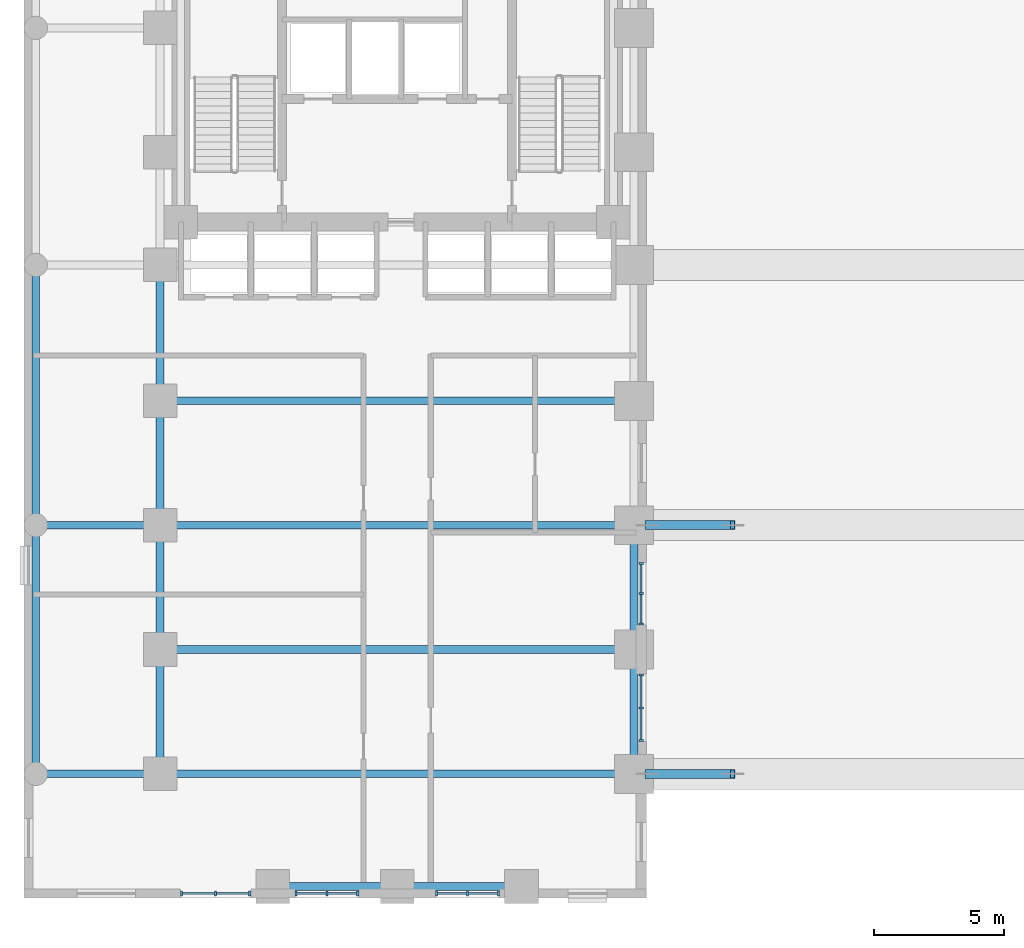
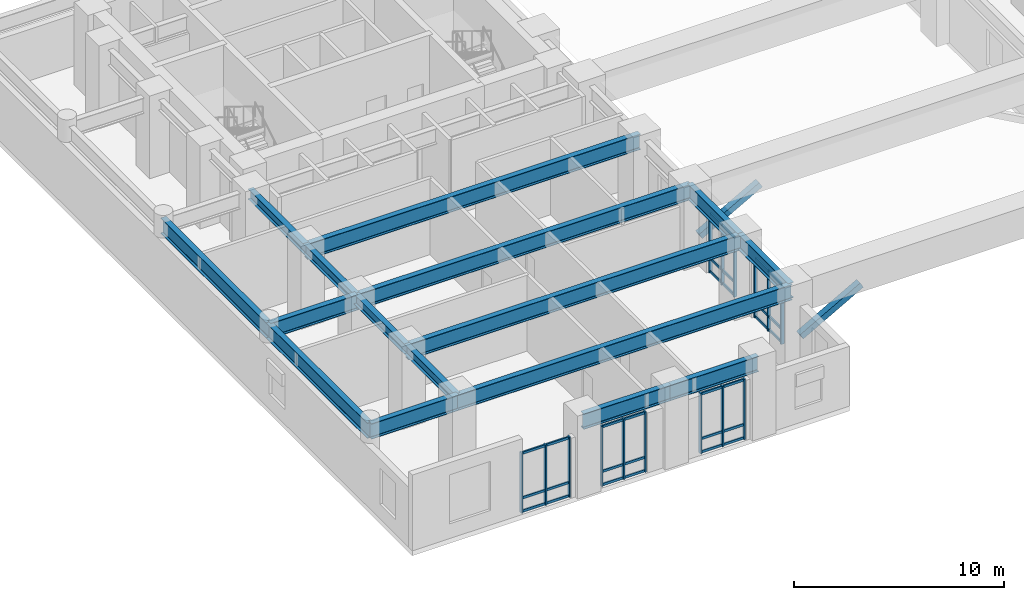
# One storey, part 2 of 12: 47 members, 16 beams, 5 elements without a shape of their own.
"""IFC4 building model written with IfcOpenShell, lengths in metres."""

from ifc_helpers import new_model, si_unit, direction, frame, origin, origin_2d, place, context, subcontext, project, spatial, rectangle, hollow_rectangle, i_section, extrude, material, material_profile, profile_set, type_object, element, aggregate, save


model = new_model("IFC4")

# Units and contexts
model_context = context("Model", 3, precision=1e-05, world=origin(), true_north=direction((0.0, 1.0)))
body_context = subcontext(model_context, "Body", "Model", "MODEL_VIEW")
ifc_project = project(units=[si_unit("LENGTHUNIT", "METRE"), si_unit("AREAUNIT", "SQUARE_METRE"), si_unit("VOLUMEUNIT", "CUBIC_METRE"), si_unit("PLANEANGLEUNIT", "RADIAN"), si_unit("MASSUNIT", "GRAM", prefix="KILO")], contexts=[model_context])

# Site, building, storey
site_placement = place(None, origin())
site = spatial("IfcSite", under=ifc_project, at=site_placement, CompositionType="ELEMENT")
building_placement = place(site_placement, origin())
building = spatial("IfcBuilding", under=site, at=building_placement, Name="Orvandelia Arch Residences", CompositionType="ELEMENT")
storey_placement = place(building_placement, frame((0.0, 0.0, 10.0)))
storey = spatial("IfcBuildingStorey", under=building, at=storey_placement, Name="L02", CompositionType="ELEMENT", Elevation=10.0)

# Beams
ifc_material_1 = material(Name="Structural Steel HSA650 (650 MPa)", Category="steel")
ifc_material_profile_1 = material_profile(ifc_material_1, i_section(OverallWidth=0.300048828125, OverallDepth=0.89990234375, WebThickness=0.01611328125, FlangeThickness=0.028076171875, FilletRadius=0.028076171875, at=origin_2d()), Name="Structural Steel HSA650 (650 MPa)", Category="steel")
ifc_profile_set_1 = profile_set([ifc_material_profile_1], Name="Structural Steel HSA650 (650 MPa)")
beam_type_1 = type_object("IfcBeamType", Name="BM-GRD-H900", PredefinedType="BEAM", material=ifc_profile_set_1)
beam_1_placement = place(storey_placement, frame((0.449951171875, 9.60009765625, 3.949951171875), z_axis=(0.0, 1.0, 0.0), x_axis=(-1.0, 0.0, 0.0)))
element("IfcBeam", 1, at=beam_1_placement, inside=storey, type_object=beam_type_1, Name="Structural Frame Beam L02-NS-001", PredefinedType="BEAM", context=body_context, shape_type="SweptSolid", body=[
    extrude(i_section(OverallWidth=0.300048828125, OverallDepth=0.89990234375, WebThickness=0.01611328125, FlangeThickness=0.028076171875, FilletRadius=0.028076171875, at=origin_2d()), origin(), (0.0, 0.0, 1.0), 9.599853515625),
])
beam_2_placement = place(storey_placement, frame((0.449951171875, 19.199951171875, 3.949951171875), z_axis=(0.0, 1.0, 0.0), x_axis=(-1.0, 0.0, 0.0)))
element("IfcBeam", 2, at=beam_2_placement, inside=storey, type_object=beam_type_1, Name="Structural Frame Beam L02-NS-002", PredefinedType="BEAM", context=body_context, shape_type="SweptSolid", body=[
    extrude(i_section(OverallWidth=0.300048828125, OverallDepth=0.89990234375, WebThickness=0.01611328125, FlangeThickness=0.028076171875, FilletRadius=0.028076171875, at=origin_2d()), origin(), (0.0, 0.0, 1.0), 10.050048828125),
])
beam_3_placement = place(storey_placement, frame((23.550048828125, 9.60009765625, 3.949951171875), z_axis=(0.0, 1.0, 0.0), x_axis=(-1.0, 0.0, 0.0)))
element("IfcBeam", 3, at=beam_3_placement, inside=storey, type_object=beam_type_1, Name="Structural Frame Beam L02-NS-014", PredefinedType="BEAM", context=body_context, shape_type="SweptSolid", body=[
    extrude(i_section(OverallWidth=0.300048828125, OverallDepth=0.89990234375, WebThickness=0.01611328125, FlangeThickness=0.028076171875, FilletRadius=0.028076171875, at=origin_2d()), origin(), (0.0, 0.0, 1.0), 4.7998046875),
])
beam_4_placement = place(storey_placement, frame((23.550048828125, 14.39990234375, 3.949951171875), z_axis=(0.0, 1.0, 0.0), x_axis=(-1.0, 0.0, 0.0)))
element("IfcBeam", 4, at=beam_4_placement, inside=storey, type_object=beam_type_1, Name="Structural Frame Beam L02-NS-015", PredefinedType="BEAM", context=body_context, shape_type="SweptSolid", body=[
    extrude(i_section(OverallWidth=0.300048828125, OverallDepth=0.89990234375, WebThickness=0.01611328125, FlangeThickness=0.028076171875, FilletRadius=0.028076171875, at=origin_2d()), origin(), (0.0, 0.0, 1.0), 4.800048828125),
])
beam_5_placement = place(storey_placement, frame((9.60009765625, 5.25, 3.949951171875), z_axis=(1.0, 0.0, 0.0), x_axis=(0.0, 1.0, 0.0)))
element("IfcBeam", 5, at=beam_5_placement, inside=storey, type_object=beam_type_1, Name="Structural Frame Girder L02-EW-036", PredefinedType="BEAM", context=body_context, shape_type="SweptSolid", body=[
    extrude(i_section(OverallWidth=0.300048828125, OverallDepth=0.89990234375, WebThickness=0.01611328125, FlangeThickness=0.028076171875, FilletRadius=0.028076171875, at=origin_2d()), origin(), (0.0, 0.0, 1.0), 4.7998046875),
])
for number, where, z_axis, x_axis, name in (
    (6, (14.39990234375, 5.25, 3.949951171875), (1.0, 0.0, 0.0), (0.0, 1.0, 0.0), "Structural Frame Girder L02-EW-037"),
    (7, (0.449951171875, 9.60009765625, 3.949951171875), (1.0, 0.0, 0.0), (0.0, 1.0, 0.0), "Structural Frame Girder L02-EW-038"),
):
    element("IfcBeam", number, at=place(storey_placement, frame(where, z_axis=z_axis, x_axis=x_axis)), inside=storey, type_object=beam_type_1, Name=name, PredefinedType="BEAM", context=body_context, shape_type="SweptSolid", body=[
        extrude(i_section(OverallWidth=0.300048828125, OverallDepth=0.89990234375, WebThickness=0.01611328125, FlangeThickness=0.028076171875, FilletRadius=0.028076171875, at=origin_2d()), origin(), (0.0, 0.0, 1.0), 4.800048828125),
    ])
for number, where, z_axis, x_axis, name in (
    (8, (5.25, 9.60009765625, 3.949951171875), (1.0, 0.0, 0.0), (0.0, 1.0, 0.0), "Structural Frame Girder L02-EW-039"),
    (9, (5.25, 14.39990234375, 3.949951171875), (1.0, 0.0, 0.0), (0.0, 1.0, 0.0), "Structural Frame Girder L02-EW-041"),
):
    element("IfcBeam", number, at=place(storey_placement, frame(where, z_axis=z_axis, x_axis=x_axis)), inside=storey, type_object=beam_type_1, Name=name, PredefinedType="BEAM", context=body_context, shape_type="SweptSolid", body=[
        extrude(i_section(OverallWidth=0.300048828125, OverallDepth=0.89990234375, WebThickness=0.01611328125, FlangeThickness=0.028076171875, FilletRadius=0.028076171875, at=origin_2d()), origin(), (0.0, 0.0, 1.0), 18.300048828125),
    ])
beam_6_placement = place(storey_placement, frame((0.449951171875, 19.199951171875, 3.949951171875), z_axis=(1.0, 0.0, 0.0), x_axis=(0.0, 1.0, 0.0)))
element("IfcBeam", 10, at=beam_6_placement, inside=storey, type_object=beam_type_1, Name="Structural Frame Girder L02-EW-042", PredefinedType="BEAM", context=body_context, shape_type="SweptSolid", body=[
    extrude(i_section(OverallWidth=0.300048828125, OverallDepth=0.89990234375, WebThickness=0.01611328125, FlangeThickness=0.028076171875, FilletRadius=0.028076171875, at=origin_2d()), origin(), (0.0, 0.0, 1.0), 4.800048828125),
])
for number, where, z_axis, x_axis, name in (
    (11, (5.25, 19.199951171875, 3.949951171875), (1.0, 0.0, 0.0), (0.0, 1.0, 0.0), "Structural Frame Girder L02-EW-043"),
    (12, (5.25, 24.0, 3.949951171875), (1.0, 0.0, 0.0), (0.0, 1.0, 0.0), "Structural Frame Girder L02-EW-045"),
):
    element("IfcBeam", number, at=place(storey_placement, frame(where, z_axis=z_axis, x_axis=x_axis)), inside=storey, type_object=beam_type_1, Name=name, PredefinedType="BEAM", context=body_context, shape_type="SweptSolid", body=[
        extrude(i_section(OverallWidth=0.300048828125, OverallDepth=0.89990234375, WebThickness=0.01611328125, FlangeThickness=0.028076171875, FilletRadius=0.028076171875, at=origin_2d()), origin(), (0.0, 0.0, 1.0), 18.300048828125),
    ])
ifc_material_2 = material(Name="Structural Steel SM355 (355 MPa)", Category="steel")
ifc_material_profile_2 = material_profile(ifc_material_2, i_section(OverallWidth=0.300048828125, OverallDepth=0.587890625, WebThickness=0.011962890625, FlangeThickness=0.02001953125, FilletRadius=0.02197265625, at=origin_2d()), Name="Structural Steel SM355 (355 MPa)", Category="steel")
ifc_profile_set_2 = profile_set([ifc_material_profile_2], Name="Structural Steel SM355 (355 MPa)")
beam_type_2 = type_object("IfcBeamType", Name="BM-SPN-H588", PredefinedType="SPANDREL", material=ifc_profile_set_2)
beam_7_placement = place(storey_placement, frame((5.25, 9.60009765625, 4.10595703125), z_axis=(0.0, 1.0, 0.0), x_axis=(-1.0, 0.0, 0.0)))
element("IfcBeam", 13, at=beam_7_placement, inside=storey, type_object=beam_type_2, Name="Structural Frame Beam L02-NS-005", PredefinedType="SPANDREL", context=body_context, shape_type="SweptSolid", body=[
    extrude(i_section(OverallWidth=0.300048828125, OverallDepth=0.587890625, WebThickness=0.011962890625, FlangeThickness=0.02001953125, FilletRadius=0.02197265625, at=origin_2d()), origin(), (0.0, 0.0, 1.0), 4.7998046875),
])
for number, where, z_axis, x_axis, name in (
    (14, (5.25, 14.39990234375, 4.10595703125), (0.0, 1.0, 0.0), (-1.0, 0.0, 0.0), "Structural Frame Beam L02-NS-006"),
    (15, (5.25, 19.199951171875, 4.10595703125), (0.0, 1.0, 0.0), (-1.0, 0.0, 0.0), "Structural Frame Beam L02-NS-007"),
):
    element("IfcBeam", number, at=place(storey_placement, frame(where, z_axis=z_axis, x_axis=x_axis)), inside=storey, type_object=beam_type_2, Name=name, PredefinedType="SPANDREL", context=body_context, shape_type="SweptSolid", body=[
        extrude(i_section(OverallWidth=0.300048828125, OverallDepth=0.587890625, WebThickness=0.011962890625, FlangeThickness=0.02001953125, FilletRadius=0.02197265625, at=origin_2d()), origin(), (0.0, 0.0, 1.0), 4.800048828125),
    ])
beam_8_placement = place(storey_placement, frame((5.25, 24.0, 4.10595703125), z_axis=(0.0, 1.0, 0.0), x_axis=(-1.0, 0.0, 0.0)))
element("IfcBeam", 16, at=beam_8_placement, inside=storey, type_object=beam_type_2, Name="Structural Frame Beam L02-NS-008", PredefinedType="SPANDREL", context=body_context, shape_type="SweptSolid", body=[
    extrude(i_section(OverallWidth=0.300048828125, OverallDepth=0.587890625, WebThickness=0.011962890625, FlangeThickness=0.02001953125, FilletRadius=0.02197265625, at=origin_2d()), origin(), (0.0, 0.0, 1.0), 5.25),
])

# Curtain wall, members
ifc_material_3 = material(Name="Anodised Bronze Curtain Wall Assembly")
curtain_wall_type_1 = type_object("IfcCurtainWallType", Name="CW-SYS1-PODIUM", PredefinedType="NOTDEFINED", material=ifc_material_3)
curtain_wall_1_placement = place(storey_placement, origin())
curtain_wall_1 = element("IfcCurtainWall", 17, at=curtain_wall_1_placement, inside=storey, type_object=curtain_wall_type_1, Name="Podium Gallery Curtain Wall L02 1", PredefinedType="NOTDEFINED")
ifc_material_4 = material(Name="Anodised Aluminium Alloy 6063-T6", Category="aluminium")
ifc_material_profile_3 = material_profile(ifc_material_4, rectangle(XDim=0.080078125, YDim=0.179931640625, at=origin_2d()), Name="Anodised Aluminium Alloy 6063-T6", Category="aluminium")
ifc_profile_set_3 = profile_set([ifc_material_profile_3], Name="Anodised Aluminium Alloy 6063-T6")
member_type_1 = type_object("IfcMemberType", Name="CW-MULLION-80x160", PredefinedType="MULLION", material=ifc_profile_set_3)
member_1_placement = place(storey_placement, frame((6.080078125, 4.97998046875, 0.0), z_axis=(0.0, 0.0, 1.0), x_axis=(1.0, 0.0, 0.0)))
member_1 = element("IfcMember", 18, at=member_1_placement, type_object=member_type_1, Name="Curtain Wall Mullion CW-L02-1-M1", PredefinedType="MULLION", context=body_context, shape_type="SweptSolid", body=[
    extrude(rectangle(XDim=0.080078125, YDim=0.179931640625, at=origin_2d()), origin(), (0.0, 0.0, 1.0), 3.5),
])
member_2_placement = place(storey_placement, frame((7.39501953125, 4.97998046875, 0.0), z_axis=(0.0, 0.0, 1.0), x_axis=(1.0, 0.0, 0.0)))
member_2 = element("IfcMember", 19, at=member_2_placement, type_object=member_type_1, Name="Curtain Wall Mullion CW-L02-1-M2", PredefinedType="MULLION", context=body_context, shape_type="SweptSolid", body=[
    extrude(rectangle(XDim=0.080078125, YDim=0.179931640625, at=origin_2d()), origin(), (0.0, 0.0, 1.0), 3.5),
])
member_3_placement = place(storey_placement, frame((8.7099609375, 4.97998046875, 0.0), z_axis=(0.0, 0.0, 1.0), x_axis=(1.0, 0.0, 0.0)))
member_3 = element("IfcMember", 20, at=member_3_placement, type_object=member_type_1, Name="Curtain Wall Mullion CW-L02-1-M3", PredefinedType="MULLION", context=body_context, shape_type="SweptSolid", body=[
    extrude(rectangle(XDim=0.080078125, YDim=0.179931640625, at=origin_2d()), origin(), (0.0, 0.0, 1.0), 3.5),
])

curtain_wall_2_placement = place(storey_placement, origin())
curtain_wall_2 = element("IfcCurtainWall", 21, at=curtain_wall_2_placement, inside=storey, type_object=curtain_wall_type_1, Name="Podium Gallery Curtain Wall L02 2", PredefinedType="NOTDEFINED")
member_4_placement = place(storey_placement, frame((10.489990234375, 4.97998046875, 0.0), z_axis=(0.0, 0.0, 1.0), x_axis=(1.0, 0.0, 0.0)))
member_4 = element("IfcMember", 22, at=member_4_placement, type_object=member_type_1, Name="Curtain Wall Mullion CW-L02-2-M1", PredefinedType="MULLION", context=body_context, shape_type="SweptSolid", body=[
    extrude(rectangle(XDim=0.080078125, YDim=0.179931640625, at=origin_2d()), origin(), (0.0, 0.0, 1.0), 3.5),
])
member_5_placement = place(storey_placement, frame((11.68505859375, 4.97998046875, 0.0), z_axis=(0.0, 0.0, 1.0), x_axis=(1.0, 0.0, 0.0)))
member_5 = element("IfcMember", 23, at=member_5_placement, type_object=member_type_1, Name="Curtain Wall Mullion CW-L02-2-M2", PredefinedType="MULLION", context=body_context, shape_type="SweptSolid", body=[
    extrude(rectangle(XDim=0.080078125, YDim=0.179931640625, at=origin_2d()), origin(), (0.0, 0.0, 1.0), 3.5),
])
member_6_placement = place(storey_placement, frame((12.8798828125, 4.97998046875, 0.0), z_axis=(0.0, 0.0, 1.0), x_axis=(1.0, 0.0, 0.0)))
member_6 = element("IfcMember", 24, at=member_6_placement, type_object=member_type_1, Name="Curtain Wall Mullion CW-L02-2-M3", PredefinedType="MULLION", context=body_context, shape_type="SweptSolid", body=[
    extrude(rectangle(XDim=0.080078125, YDim=0.179931640625, at=origin_2d()), origin(), (0.0, 0.0, 1.0), 3.5),
])

curtain_wall_3_placement = place(storey_placement, origin())
curtain_wall_3 = element("IfcCurtainWall", 25, at=curtain_wall_3_placement, inside=storey, type_object=curtain_wall_type_1, Name="Podium Gallery Curtain Wall L02 3", PredefinedType="NOTDEFINED")
member_7_placement = place(storey_placement, frame((15.919921875, 4.97998046875, 0.0), z_axis=(0.0, 0.0, 1.0), x_axis=(1.0, 0.0, 0.0)))
member_7 = element("IfcMember", 26, at=member_7_placement, type_object=member_type_1, Name="Curtain Wall Mullion CW-L02-3-M1", PredefinedType="MULLION", context=body_context, shape_type="SweptSolid", body=[
    extrude(rectangle(XDim=0.080078125, YDim=0.179931640625, at=origin_2d()), origin(), (0.0, 0.0, 1.0), 3.5),
])
member_8_placement = place(storey_placement, frame((17.114990234375, 4.97998046875, 0.0), z_axis=(0.0, 0.0, 1.0), x_axis=(1.0, 0.0, 0.0)))
member_8 = element("IfcMember", 27, at=member_8_placement, type_object=member_type_1, Name="Curtain Wall Mullion CW-L02-3-M2", PredefinedType="MULLION", context=body_context, shape_type="SweptSolid", body=[
    extrude(rectangle(XDim=0.080078125, YDim=0.179931640625, at=origin_2d()), origin(), (0.0, 0.0, 1.0), 3.5),
])
member_9_placement = place(storey_placement, frame((18.31005859375, 4.97998046875, 0.0), z_axis=(0.0, 0.0, 1.0), x_axis=(1.0, 0.0, 0.0)))
member_9 = element("IfcMember", 28, at=member_9_placement, type_object=member_type_1, Name="Curtain Wall Mullion CW-L02-3-M3", PredefinedType="MULLION", context=body_context, shape_type="SweptSolid", body=[
    extrude(rectangle(XDim=0.080078125, YDim=0.179931640625, at=origin_2d()), origin(), (0.0, 0.0, 1.0), 3.5),
])

curtain_wall_type_2 = type_object("IfcCurtainWallType", Name="CW-SYS2-ARCH", PredefinedType="NOTDEFINED", material=ifc_material_3)
curtain_wall_4_placement = place(storey_placement, origin())
curtain_wall_4 = element("IfcCurtainWall", 29, at=curtain_wall_4_placement, inside=storey, type_object=curtain_wall_type_2, Name="Arch West Cheek Glazing L02 4", PredefinedType="NOTDEFINED")
member_10_placement = place(storey_placement, frame((23.820068359375, 10.8798828125, 0.0), z_axis=(0.0, 0.0, 1.0), x_axis=(0.0, 1.0, 0.0)))
member_10 = element("IfcMember", 30, at=member_10_placement, type_object=member_type_1, Name="Curtain Wall Mullion CW-L02-4-M1", PredefinedType="MULLION", context=body_context, shape_type="SweptSolid", body=[
    extrude(rectangle(XDim=0.080078125, YDim=0.179931640625, at=origin_2d()), origin(), (0.0, 0.0, 1.0), 3.5),
])
member_11_placement = place(storey_placement, frame((23.820068359375, 12.14501953125, 0.0), z_axis=(0.0, 0.0, 1.0), x_axis=(0.0, 1.0, 0.0)))
member_11 = element("IfcMember", 31, at=member_11_placement, type_object=member_type_1, Name="Curtain Wall Mullion CW-L02-4-M2", PredefinedType="MULLION", context=body_context, shape_type="SweptSolid", body=[
    extrude(rectangle(XDim=0.080078125, YDim=0.179931640625, at=origin_2d()), origin(), (0.0, 0.0, 1.0), 3.5),
])
member_12_placement = place(storey_placement, frame((23.820068359375, 13.409912109375, 0.0), z_axis=(0.0, 0.0, 1.0), x_axis=(0.0, 1.0, 0.0)))
member_12 = element("IfcMember", 32, at=member_12_placement, type_object=member_type_1, Name="Curtain Wall Mullion CW-L02-4-M3", PredefinedType="MULLION", context=body_context, shape_type="SweptSolid", body=[
    extrude(rectangle(XDim=0.080078125, YDim=0.179931640625, at=origin_2d()), origin(), (0.0, 0.0, 1.0), 3.5),
])

curtain_wall_5_placement = place(storey_placement, origin())
curtain_wall_5 = element("IfcCurtainWall", 33, at=curtain_wall_5_placement, inside=storey, type_object=curtain_wall_type_2, Name="Arch West Cheek Glazing L02 5", PredefinedType="NOTDEFINED")
member_13_placement = place(storey_placement, frame((23.820068359375, 15.389892578125, 0.0), z_axis=(0.0, 0.0, 1.0), x_axis=(0.0, 1.0, 0.0)))
member_13 = element("IfcMember", 34, at=member_13_placement, type_object=member_type_1, Name="Curtain Wall Mullion CW-L02-5-M1", PredefinedType="MULLION", context=body_context, shape_type="SweptSolid", body=[
    extrude(rectangle(XDim=0.080078125, YDim=0.179931640625, at=origin_2d()), origin(), (0.0, 0.0, 1.0), 3.5),
])
member_14_placement = place(storey_placement, frame((23.820068359375, 16.554931640625, 0.0), z_axis=(0.0, 0.0, 1.0), x_axis=(0.0, 1.0, 0.0)))
member_14 = element("IfcMember", 35, at=member_14_placement, type_object=member_type_1, Name="Curtain Wall Mullion CW-L02-5-M2", PredefinedType="MULLION", context=body_context, shape_type="SweptSolid", body=[
    extrude(rectangle(XDim=0.080078125, YDim=0.179931640625, at=origin_2d()), origin(), (0.0, 0.0, 1.0), 3.5),
])
member_15_placement = place(storey_placement, frame((23.820068359375, 17.719970703125, 0.0), z_axis=(0.0, 0.0, 1.0), x_axis=(0.0, 1.0, 0.0)))
member_15 = element("IfcMember", 36, at=member_15_placement, type_object=member_type_1, Name="Curtain Wall Mullion CW-L02-5-M3", PredefinedType="MULLION", context=body_context, shape_type="SweptSolid", body=[
    extrude(rectangle(XDim=0.080078125, YDim=0.179931640625, at=origin_2d()), origin(), (0.0, 0.0, 1.0), 3.5),
])

# Member
ifc_material_profile_4 = material_profile(ifc_material_4, rectangle(XDim=0.080078125, YDim=0.139892578125, at=origin_2d()), Name="Anodised Aluminium Alloy 6063-T6", Category="aluminium")
ifc_profile_set_4 = profile_set([ifc_material_profile_4], Name="Anodised Aluminium Alloy 6063-T6")
member_type_2 = type_object("IfcMemberType", Name="CW-TRANSOM-80x140", PredefinedType="USERDEFINED", material=ifc_profile_set_4)
member_16_placement = place(storey_placement, frame((6.10498046875, 4.97998046875, 0.070068359375), z_axis=(1.0, 0.0, 0.0), x_axis=(0.0, 1.0, 0.0)))
member_16 = element("IfcMember", 37, at=member_16_placement, type_object=member_type_2, Name="Curtain Wall Transom CW-L02-1-T1-1", ObjectType="TRANSOM", PredefinedType="USERDEFINED", context=body_context, shape_type="SweptSolid", body=[
    extrude(rectangle(XDim=0.080078125, YDim=0.139892578125, at=origin_2d()), origin(), (0.0, 0.0, 1.0), 1.26513671875),
])

member_17_placement = place(storey_placement, frame((6.10498046875, 4.97998046875, 0.840087890625), z_axis=(1.0, 0.0, 0.0), x_axis=(0.0, 1.0, 0.0)))
member_17 = element("IfcMember", 38, at=member_17_placement, type_object=member_type_2, Name="Curtain Wall Transom CW-L02-1-T1-2", ObjectType="TRANSOM", PredefinedType="USERDEFINED", context=body_context, shape_type="SweptSolid", body=[
    extrude(rectangle(XDim=0.080078125, YDim=0.139892578125, at=origin_2d()), origin(), (0.0, 0.0, 1.0), 1.26513671875),
])

member_18_placement = place(storey_placement, frame((6.10498046875, 4.97998046875, 3.429931640625), z_axis=(1.0, 0.0, 0.0), x_axis=(0.0, 1.0, 0.0)))
member_18 = element("IfcMember", 39, at=member_18_placement, type_object=member_type_2, Name="Curtain Wall Transom CW-L02-1-T1-3", ObjectType="TRANSOM", PredefinedType="USERDEFINED", context=body_context, shape_type="SweptSolid", body=[
    extrude(rectangle(XDim=0.080078125, YDim=0.139892578125, at=origin_2d()), origin(), (0.0, 0.0, 1.0), 1.26513671875),
])

member_19_placement = place(storey_placement, frame((7.419921875, 4.97998046875, 0.070068359375), z_axis=(1.0, 0.0, 0.0), x_axis=(0.0, 1.0, 0.0)))
member_19 = element("IfcMember", 40, at=member_19_placement, type_object=member_type_2, Name="Curtain Wall Transom CW-L02-1-T2-1", ObjectType="TRANSOM", PredefinedType="USERDEFINED", context=body_context, shape_type="SweptSolid", body=[
    extrude(rectangle(XDim=0.080078125, YDim=0.139892578125, at=origin_2d()), origin(), (0.0, 0.0, 1.0), 1.26513671875),
])

member_20_placement = place(storey_placement, frame((7.419921875, 4.97998046875, 0.840087890625), z_axis=(1.0, 0.0, 0.0), x_axis=(0.0, 1.0, 0.0)))
member_20 = element("IfcMember", 41, at=member_20_placement, type_object=member_type_2, Name="Curtain Wall Transom CW-L02-1-T2-2", ObjectType="TRANSOM", PredefinedType="USERDEFINED", context=body_context, shape_type="SweptSolid", body=[
    extrude(rectangle(XDim=0.080078125, YDim=0.139892578125, at=origin_2d()), origin(), (0.0, 0.0, 1.0), 1.26513671875),
])

member_21_placement = place(storey_placement, frame((7.419921875, 4.97998046875, 3.429931640625), z_axis=(1.0, 0.0, 0.0), x_axis=(0.0, 1.0, 0.0)))
member_21 = element("IfcMember", 42, at=member_21_placement, type_object=member_type_2, Name="Curtain Wall Transom CW-L02-1-T2-3", ObjectType="TRANSOM", PredefinedType="USERDEFINED", context=body_context, shape_type="SweptSolid", body=[
    extrude(rectangle(XDim=0.080078125, YDim=0.139892578125, at=origin_2d()), origin(), (0.0, 0.0, 1.0), 1.26513671875),
])

aggregate(curtain_wall_1, [member_1, member_2, member_3, member_16, member_17, member_18, member_19, member_20, member_21])

member_22_placement = place(storey_placement, frame((10.514892578125, 4.97998046875, 0.070068359375), z_axis=(1.0, 0.0, 0.0), x_axis=(0.0, 1.0, 0.0)))
member_22 = element("IfcMember", 43, at=member_22_placement, type_object=member_type_2, Name="Curtain Wall Transom CW-L02-2-T1-1", ObjectType="TRANSOM", PredefinedType="USERDEFINED", context=body_context, shape_type="SweptSolid", body=[
    extrude(rectangle(XDim=0.080078125, YDim=0.139892578125, at=origin_2d()), origin(), (0.0, 0.0, 1.0), 1.14501953125),
])

member_23_placement = place(storey_placement, frame((10.514892578125, 4.97998046875, 0.840087890625), z_axis=(1.0, 0.0, 0.0), x_axis=(0.0, 1.0, 0.0)))
member_23 = element("IfcMember", 44, at=member_23_placement, type_object=member_type_2, Name="Curtain Wall Transom CW-L02-2-T1-2", ObjectType="TRANSOM", PredefinedType="USERDEFINED", context=body_context, shape_type="SweptSolid", body=[
    extrude(rectangle(XDim=0.080078125, YDim=0.139892578125, at=origin_2d()), origin(), (0.0, 0.0, 1.0), 1.14501953125),
])

member_24_placement = place(storey_placement, frame((10.514892578125, 4.97998046875, 3.429931640625), z_axis=(1.0, 0.0, 0.0), x_axis=(0.0, 1.0, 0.0)))
member_24 = element("IfcMember", 45, at=member_24_placement, type_object=member_type_2, Name="Curtain Wall Transom CW-L02-2-T1-3", ObjectType="TRANSOM", PredefinedType="USERDEFINED", context=body_context, shape_type="SweptSolid", body=[
    extrude(rectangle(XDim=0.080078125, YDim=0.139892578125, at=origin_2d()), origin(), (0.0, 0.0, 1.0), 1.14501953125),
])

member_25_placement = place(storey_placement, frame((11.7099609375, 4.97998046875, 0.070068359375), z_axis=(1.0, 0.0, 0.0), x_axis=(0.0, 1.0, 0.0)))
member_25 = element("IfcMember", 46, at=member_25_placement, type_object=member_type_2, Name="Curtain Wall Transom CW-L02-2-T2-1", ObjectType="TRANSOM", PredefinedType="USERDEFINED", context=body_context, shape_type="SweptSolid", body=[
    extrude(rectangle(XDim=0.080078125, YDim=0.139892578125, at=origin_2d()), origin(), (0.0, 0.0, 1.0), 1.14501953125),
])

member_26_placement = place(storey_placement, frame((11.7099609375, 4.97998046875, 0.840087890625), z_axis=(1.0, 0.0, 0.0), x_axis=(0.0, 1.0, 0.0)))
member_26 = element("IfcMember", 47, at=member_26_placement, type_object=member_type_2, Name="Curtain Wall Transom CW-L02-2-T2-2", ObjectType="TRANSOM", PredefinedType="USERDEFINED", context=body_context, shape_type="SweptSolid", body=[
    extrude(rectangle(XDim=0.080078125, YDim=0.139892578125, at=origin_2d()), origin(), (0.0, 0.0, 1.0), 1.14501953125),
])

member_27_placement = place(storey_placement, frame((11.7099609375, 4.97998046875, 3.429931640625), z_axis=(1.0, 0.0, 0.0), x_axis=(0.0, 1.0, 0.0)))
member_27 = element("IfcMember", 48, at=member_27_placement, type_object=member_type_2, Name="Curtain Wall Transom CW-L02-2-T2-3", ObjectType="TRANSOM", PredefinedType="USERDEFINED", context=body_context, shape_type="SweptSolid", body=[
    extrude(rectangle(XDim=0.080078125, YDim=0.139892578125, at=origin_2d()), origin(), (0.0, 0.0, 1.0), 1.14501953125),
])

aggregate(curtain_wall_2, [member_4, member_5, member_6, member_22, member_23, member_24, member_25, member_26, member_27])

member_28_placement = place(storey_placement, frame((15.945068359375, 4.97998046875, 0.070068359375), z_axis=(1.0, 0.0, 0.0), x_axis=(0.0, 1.0, 0.0)))
member_28 = element("IfcMember", 49, at=member_28_placement, type_object=member_type_2, Name="Curtain Wall Transom CW-L02-3-T1-1", ObjectType="TRANSOM", PredefinedType="USERDEFINED", context=body_context, shape_type="SweptSolid", body=[
    extrude(rectangle(XDim=0.080078125, YDim=0.139892578125, at=origin_2d()), origin(), (0.0, 0.0, 1.0), 1.14501953125),
])

member_29_placement = place(storey_placement, frame((15.945068359375, 4.97998046875, 0.840087890625), z_axis=(1.0, 0.0, 0.0), x_axis=(0.0, 1.0, 0.0)))
member_29 = element("IfcMember", 50, at=member_29_placement, type_object=member_type_2, Name="Curtain Wall Transom CW-L02-3-T1-2", ObjectType="TRANSOM", PredefinedType="USERDEFINED", context=body_context, shape_type="SweptSolid", body=[
    extrude(rectangle(XDim=0.080078125, YDim=0.139892578125, at=origin_2d()), origin(), (0.0, 0.0, 1.0), 1.14501953125),
])

member_30_placement = place(storey_placement, frame((15.945068359375, 4.97998046875, 3.429931640625), z_axis=(1.0, 0.0, 0.0), x_axis=(0.0, 1.0, 0.0)))
member_30 = element("IfcMember", 51, at=member_30_placement, type_object=member_type_2, Name="Curtain Wall Transom CW-L02-3-T1-3", ObjectType="TRANSOM", PredefinedType="USERDEFINED", context=body_context, shape_type="SweptSolid", body=[
    extrude(rectangle(XDim=0.080078125, YDim=0.139892578125, at=origin_2d()), origin(), (0.0, 0.0, 1.0), 1.14501953125),
])

member_31_placement = place(storey_placement, frame((17.139892578125, 4.97998046875, 0.070068359375), z_axis=(1.0, 0.0, 0.0), x_axis=(0.0, 1.0, 0.0)))
member_31 = element("IfcMember", 52, at=member_31_placement, type_object=member_type_2, Name="Curtain Wall Transom CW-L02-3-T2-1", ObjectType="TRANSOM", PredefinedType="USERDEFINED", context=body_context, shape_type="SweptSolid", body=[
    extrude(rectangle(XDim=0.080078125, YDim=0.139892578125, at=origin_2d()), origin(), (0.0, 0.0, 1.0), 1.14501953125),
])

member_32_placement = place(storey_placement, frame((17.139892578125, 4.97998046875, 0.840087890625), z_axis=(1.0, 0.0, 0.0), x_axis=(0.0, 1.0, 0.0)))
member_32 = element("IfcMember", 53, at=member_32_placement, type_object=member_type_2, Name="Curtain Wall Transom CW-L02-3-T2-2", ObjectType="TRANSOM", PredefinedType="USERDEFINED", context=body_context, shape_type="SweptSolid", body=[
    extrude(rectangle(XDim=0.080078125, YDim=0.139892578125, at=origin_2d()), origin(), (0.0, 0.0, 1.0), 1.14501953125),
])

member_33_placement = place(storey_placement, frame((17.139892578125, 4.97998046875, 3.429931640625), z_axis=(1.0, 0.0, 0.0), x_axis=(0.0, 1.0, 0.0)))
member_33 = element("IfcMember", 54, at=member_33_placement, type_object=member_type_2, Name="Curtain Wall Transom CW-L02-3-T2-3", ObjectType="TRANSOM", PredefinedType="USERDEFINED", context=body_context, shape_type="SweptSolid", body=[
    extrude(rectangle(XDim=0.080078125, YDim=0.139892578125, at=origin_2d()), origin(), (0.0, 0.0, 1.0), 1.14501953125),
])

aggregate(curtain_wall_3, [member_7, member_8, member_9, member_28, member_29, member_30, member_31, member_32, member_33])

member_34_placement = place(storey_placement, frame((23.820068359375, 10.905029296875, 0.070068359375), z_axis=(0.0, 1.0, 0.0), x_axis=(-1.0, 0.0, 0.0)))
member_34 = element("IfcMember", 55, at=member_34_placement, type_object=member_type_2, Name="Curtain Wall Transom CW-L02-4-T1-1", ObjectType="TRANSOM", PredefinedType="USERDEFINED", context=body_context, shape_type="SweptSolid", body=[
    extrude(rectangle(XDim=0.080078125, YDim=0.139892578125, at=origin_2d()), origin(), (0.0, 0.0, 1.0), 1.215087890625),
])

member_35_placement = place(storey_placement, frame((23.820068359375, 10.905029296875, 0.840087890625), z_axis=(0.0, 1.0, 0.0), x_axis=(-1.0, 0.0, 0.0)))
member_35 = element("IfcMember", 56, at=member_35_placement, type_object=member_type_2, Name="Curtain Wall Transom CW-L02-4-T1-2", ObjectType="TRANSOM", PredefinedType="USERDEFINED", context=body_context, shape_type="SweptSolid", body=[
    extrude(rectangle(XDim=0.080078125, YDim=0.139892578125, at=origin_2d()), origin(), (0.0, 0.0, 1.0), 1.215087890625),
])

member_36_placement = place(storey_placement, frame((23.820068359375, 10.905029296875, 3.429931640625), z_axis=(0.0, 1.0, 0.0), x_axis=(-1.0, 0.0, 0.0)))
member_36 = element("IfcMember", 57, at=member_36_placement, type_object=member_type_2, Name="Curtain Wall Transom CW-L02-4-T1-3", ObjectType="TRANSOM", PredefinedType="USERDEFINED", context=body_context, shape_type="SweptSolid", body=[
    extrude(rectangle(XDim=0.080078125, YDim=0.139892578125, at=origin_2d()), origin(), (0.0, 0.0, 1.0), 1.215087890625),
])

member_37_placement = place(storey_placement, frame((23.820068359375, 12.169921875, 0.070068359375), z_axis=(0.0, 1.0, 0.0), x_axis=(-1.0, 0.0, 0.0)))
member_37 = element("IfcMember", 58, at=member_37_placement, type_object=member_type_2, Name="Curtain Wall Transom CW-L02-4-T2-1", ObjectType="TRANSOM", PredefinedType="USERDEFINED", context=body_context, shape_type="SweptSolid", body=[
    extrude(rectangle(XDim=0.080078125, YDim=0.139892578125, at=origin_2d()), origin(), (0.0, 0.0, 1.0), 1.215087890625),
])

member_38_placement = place(storey_placement, frame((23.820068359375, 12.169921875, 0.840087890625), z_axis=(0.0, 1.0, 0.0), x_axis=(-1.0, 0.0, 0.0)))
member_38 = element("IfcMember", 59, at=member_38_placement, type_object=member_type_2, Name="Curtain Wall Transom CW-L02-4-T2-2", ObjectType="TRANSOM", PredefinedType="USERDEFINED", context=body_context, shape_type="SweptSolid", body=[
    extrude(rectangle(XDim=0.080078125, YDim=0.139892578125, at=origin_2d()), origin(), (0.0, 0.0, 1.0), 1.215087890625),
])

member_39_placement = place(storey_placement, frame((23.820068359375, 12.169921875, 3.429931640625), z_axis=(0.0, 1.0, 0.0), x_axis=(-1.0, 0.0, 0.0)))
member_39 = element("IfcMember", 60, at=member_39_placement, type_object=member_type_2, Name="Curtain Wall Transom CW-L02-4-T2-3", ObjectType="TRANSOM", PredefinedType="USERDEFINED", context=body_context, shape_type="SweptSolid", body=[
    extrude(rectangle(XDim=0.080078125, YDim=0.139892578125, at=origin_2d()), origin(), (0.0, 0.0, 1.0), 1.215087890625),
])

aggregate(curtain_wall_4, [member_10, member_11, member_12, member_34, member_35, member_36, member_37, member_38, member_39])

member_40_placement = place(storey_placement, frame((23.820068359375, 15.4150390625, 0.070068359375), z_axis=(0.0, 1.0, 0.0), x_axis=(-1.0, 0.0, 0.0)))
member_40 = element("IfcMember", 61, at=member_40_placement, type_object=member_type_2, Name="Curtain Wall Transom CW-L02-5-T1-1", ObjectType="TRANSOM", PredefinedType="USERDEFINED", context=body_context, shape_type="SweptSolid", body=[
    extrude(rectangle(XDim=0.080078125, YDim=0.139892578125, at=origin_2d()), origin(), (0.0, 0.0, 1.0), 1.114990234375),
])

member_41_placement = place(storey_placement, frame((23.820068359375, 15.4150390625, 0.840087890625), z_axis=(0.0, 1.0, 0.0), x_axis=(-1.0, 0.0, 0.0)))
member_41 = element("IfcMember", 62, at=member_41_placement, type_object=member_type_2, Name="Curtain Wall Transom CW-L02-5-T1-2", ObjectType="TRANSOM", PredefinedType="USERDEFINED", context=body_context, shape_type="SweptSolid", body=[
    extrude(rectangle(XDim=0.080078125, YDim=0.139892578125, at=origin_2d()), origin(), (0.0, 0.0, 1.0), 1.114990234375),
])

member_42_placement = place(storey_placement, frame((23.820068359375, 15.4150390625, 3.429931640625), z_axis=(0.0, 1.0, 0.0), x_axis=(-1.0, 0.0, 0.0)))
member_42 = element("IfcMember", 63, at=member_42_placement, type_object=member_type_2, Name="Curtain Wall Transom CW-L02-5-T1-3", ObjectType="TRANSOM", PredefinedType="USERDEFINED", context=body_context, shape_type="SweptSolid", body=[
    extrude(rectangle(XDim=0.080078125, YDim=0.139892578125, at=origin_2d()), origin(), (0.0, 0.0, 1.0), 1.114990234375),
])

member_43_placement = place(storey_placement, frame((23.820068359375, 16.580078125, 0.070068359375), z_axis=(0.0, 1.0, 0.0), x_axis=(-1.0, 0.0, 0.0)))
member_43 = element("IfcMember", 64, at=member_43_placement, type_object=member_type_2, Name="Curtain Wall Transom CW-L02-5-T2-1", ObjectType="TRANSOM", PredefinedType="USERDEFINED", context=body_context, shape_type="SweptSolid", body=[
    extrude(rectangle(XDim=0.080078125, YDim=0.139892578125, at=origin_2d()), origin(), (0.0, 0.0, 1.0), 1.114990234375),
])

member_44_placement = place(storey_placement, frame((23.820068359375, 16.580078125, 0.840087890625), z_axis=(0.0, 1.0, 0.0), x_axis=(-1.0, 0.0, 0.0)))
member_44 = element("IfcMember", 65, at=member_44_placement, type_object=member_type_2, Name="Curtain Wall Transom CW-L02-5-T2-2", ObjectType="TRANSOM", PredefinedType="USERDEFINED", context=body_context, shape_type="SweptSolid", body=[
    extrude(rectangle(XDim=0.080078125, YDim=0.139892578125, at=origin_2d()), origin(), (0.0, 0.0, 1.0), 1.114990234375),
])

member_45_placement = place(storey_placement, frame((23.820068359375, 16.580078125, 3.429931640625), z_axis=(0.0, 1.0, 0.0), x_axis=(-1.0, 0.0, 0.0)))
member_45 = element("IfcMember", 66, at=member_45_placement, type_object=member_type_2, Name="Curtain Wall Transom CW-L02-5-T2-3", ObjectType="TRANSOM", PredefinedType="USERDEFINED", context=body_context, shape_type="SweptSolid", body=[
    extrude(rectangle(XDim=0.080078125, YDim=0.139892578125, at=origin_2d()), origin(), (0.0, 0.0, 1.0), 1.114990234375),
])

aggregate(curtain_wall_5, [member_13, member_14, member_15, member_40, member_41, member_42, member_43, member_44, member_45])

# Members
ifc_material_profile_5 = material_profile(ifc_material_2, hollow_rectangle(XDim=0.35009765625, YDim=0.35009765625, WallThickness=0.01904296875, at=origin_2d()), Name="Structural Steel SM355 (355 MPa)", Category="steel")
ifc_profile_set_5 = profile_set([ifc_material_profile_5], Name="Structural Steel SM355 (355 MPa)")
member_type_3 = type_object("IfcMemberType", Name="MBR-ARCH-RIB", PredefinedType="STRUT", material=ifc_profile_set_5)
for number, where, z_axis, x_axis, name in (
    (67, (24.050048828125, 9.60009765625, 1.199951171875), (0.872272628353, 0.0, 0.489019899213), (0.0, 1.0, 0.0), "Giant Street Arch West Springer Haunch SOUTH"),
    (68, (24.050048828125, 19.199951171875, 1.199951171875), (0.872272628353, 0.0, 0.489019899213), (0.0, 1.0, 0.0), "Giant Street Arch West Springer Haunch MID"),
):
    element("IfcMember", number, at=place(storey_placement, frame(where, z_axis=z_axis, x_axis=x_axis)), inside=storey, type_object=member_type_3, Name=name, PredefinedType="STRUT", context=body_context, shape_type="SweptSolid", body=[
        extrude(hollow_rectangle(XDim=0.35009765625, YDim=0.35009765625, WallThickness=0.01904296875, at=origin_2d()), origin(), (0.0, 0.0, 1.0), 3.783203125),
    ])

save(model, "model.ifc")
